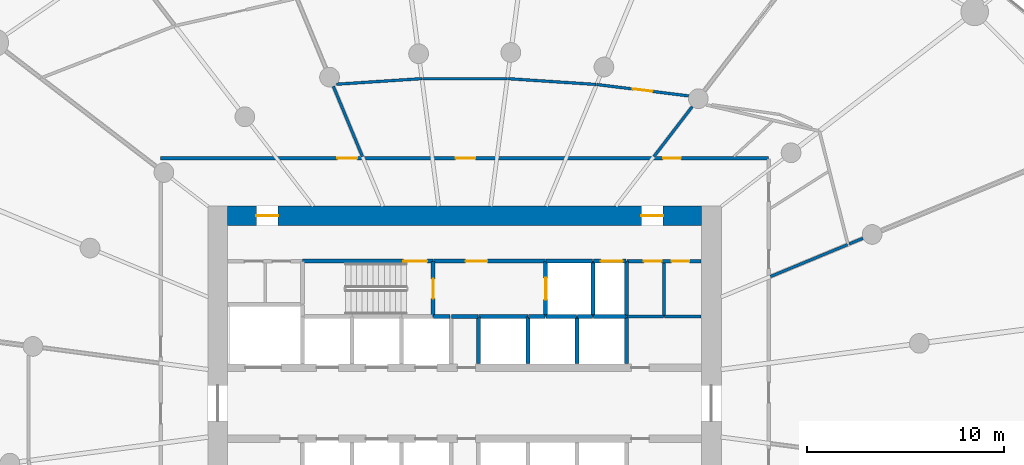
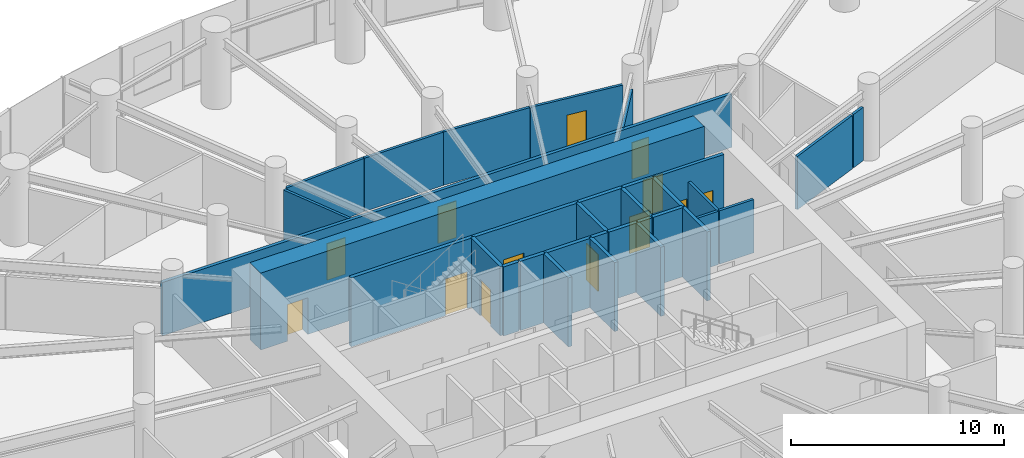
# One storey, part 14 of 19: 33 walls, 13 doors, 13 openings.
"""IFC4 building model written with IfcOpenShell, lengths in metres."""

from ifc_helpers import new_model, si_unit, direction, frame, frame_2d, origin, place, context, subcontext, project, spatial, rectangle, extrude, source, transform, mapped, material, layer, layer_set, type_object, element, fill, save


model = new_model("IFC4")

# Units and contexts
model_context = context("Model", 3, precision=1e-05, world=origin(), true_north=direction((0.0, 1.0)))
body_context = subcontext(model_context, "Body", "Model", "MODEL_VIEW")
ifc_project = project(units=[si_unit("LENGTHUNIT", "METRE"), si_unit("AREAUNIT", "SQUARE_METRE"), si_unit("VOLUMEUNIT", "CUBIC_METRE"), si_unit("PLANEANGLEUNIT", "RADIAN"), si_unit("MASSUNIT", "GRAM", prefix="KILO")], contexts=[model_context])

# Site, building, storey
site_placement = place(None, origin())
site = spatial("IfcSite", under=ifc_project, at=site_placement, CompositionType="ELEMENT")
building_placement = place(site_placement, origin())
building = spatial("IfcBuilding", under=site, at=building_placement, Name="Spindrift Exchange Tower", CompositionType="ELEMENT")
storey_placement = place(building_placement, frame((0.0, 0.0, 22.60009765625)))
storey = spatial("IfcBuildingStorey", under=building, at=storey_placement, Name="L05", CompositionType="ELEMENT", Elevation=22.60009765625)

# Wall, openings, doors
ifc_material_1 = material(Name="Concrete 80 MPa", Category="concrete")
ifc_layer_1 = layer(ifc_material_1, 1.0)
ifc_layer_set_1 = layer_set([ifc_layer_1], Name="RC Core Wall 1000 Concrete 80 MPa")
wall_type_1 = type_object("IfcWallType", Name="RC Core Wall 1000 Concrete 80 MPa", PredefinedType="SHEAR", material=ifc_layer_set_1)
wall_1_placement = place(storey_placement, frame((64.0, 57.5, 0.0), z_axis=(0.0, 0.0, 1.0), x_axis=(-1.0, 0.0, 0.0)))
wall_1 = element("IfcWall", 1, at=wall_1_placement, inside=storey, type_object=wall_type_1, Name="Core wall N L05", PredefinedType="SHEAR", context=body_context, shape_type="SweptSolid", body=[
    extrude(rectangle(XDim=24.0, YDim=1.0, at=frame_2d((12.0, 0.0))), origin(), (0.0, 0.0, 1.0), 4.39990234375),
])
opening_1_placement = place(wall_1_placement, frame((21.449951171875, 0.0, 0.0)))
opening_1 = element("IfcOpeningElement", 2, at=opening_1_placement, cuts=wall_1, Name="Opening L05-D20", PredefinedType="OPENING", context=body_context, shape_type="SweptSolid", body=[
    extrude(rectangle(XDim=1.10009765625, YDim=2.10009765625, at=frame_2d((0.550048828125, 1.050048828125))), frame((0.0, 0.510009765625, 0.0), z_axis=(0.0, -1.0, 0.0), x_axis=(1.0, 0.0, 0.0)), (0.0, 0.0, 1.0), 1.02001953125),
])
opening_2_placement = place(wall_1_placement, frame((1.949951171875, 0.0, 0.0)))
opening_2 = element("IfcOpeningElement", 3, at=opening_2_placement, cuts=wall_1, Name="Opening L05-D21", PredefinedType="OPENING", context=body_context, shape_type="SweptSolid", body=[
    extrude(rectangle(XDim=1.10009765625, YDim=2.10009765625, at=frame_2d((0.550048828125, 1.050048828125))), frame((0.0, 0.510009765625, 0.0), z_axis=(0.0, -1.0, 0.0), x_axis=(1.0, 0.0, 0.0)), (0.0, 0.0, 1.0), 1.02001953125),
])
ifc_material_2 = material(Name="Steel fire door", Category="steel")
door_type_1 = type_object("IfcDoorType", Name="DR-STAIR-1100", OperationType="NOTDEFINED", PredefinedType="DOOR", material=ifc_material_2)
shared_shape_1 = source(origin(), body_context, "Body", "SweptSolid", [
    extrude(rectangle(XDim=1.10009765625, YDim=2.10009765625, at=frame_2d((0.550048828125, 1.050048828125))), frame((0.0, 0.02490234375, 0.0), z_axis=(0.0, -1.0, 0.0), x_axis=(1.0, 0.0, 0.0)), (0.0, 0.0, 1.0), 0.050048828125),
])
door_1_placement = place(opening_1_placement, origin())
door_1 = element("IfcDoor", 4, at=door_1_placement, inside=storey, type_object=door_type_1, Name="L05 Stair door 20", OperationType="SINGLE_SWING_LEFT", OverallHeight=2.10009765625, OverallWidth=1.10009765625, PredefinedType="DOOR", context=body_context, shape_type="MappedRepresentation", body=[
    mapped(shared_shape_1, transform((0.0, 0.0, 0.0), scale=1.0)),
])
fill(opening_1, door_1)
door_2_placement = place(opening_2_placement, origin())
door_2 = element("IfcDoor", 5, at=door_2_placement, inside=storey, type_object=door_type_1, Name="L05 Stair door 21", OperationType="SINGLE_SWING_RIGHT", OverallHeight=2.10009765625, OverallWidth=1.10009765625, PredefinedType="DOOR", context=body_context, shape_type="MappedRepresentation", body=[
    mapped(shared_shape_1, transform((0.0, 0.0, 0.0), scale=1.0)),
])
fill(opening_2, door_2)

ifc_material_3 = material(Name="Fire-rated plasterboard partition", Category="gypsum")
ifc_layer_2 = layer(ifc_material_3, 0.179931640625)
ifc_layer_set_2 = layer_set([ifc_layer_2], Name="W-CORR-180")
wall_type_2 = type_object("IfcWallType", Name="W-CORR-180", PredefinedType="PARTITIONING", material=ifc_layer_set_2)
wall_2_placement = place(storey_placement, frame((63.97998046875, 55.199951171875, 0.0), z_axis=(0.0, 0.0, 1.0), x_axis=(-1.0, 0.0, 0.0)))
wall_2 = element("IfcWall", 6, at=wall_2_placement, inside=storey, type_object=wall_type_2, Name="L05 Partition wall 64", PredefinedType="PARTITIONING", context=body_context, shape_type="SweptSolid", body=[
    extrude(rectangle(XDim=3.75, YDim=0.179931640625, at=frame_2d((1.875, 0.0))), origin(), (0.0, 0.0, 1.0), 3.949951171875),
])
opening_3_placement = place(wall_2_placement, frame((2.0, 0.0, 0.0)))
opening_3 = element("IfcOpeningElement", 7, at=opening_3_placement, cuts=wall_2, Name="Opening L05-D49", PredefinedType="OPENING", context=body_context, shape_type="SweptSolid", body=[
    extrude(rectangle(XDim=0.89990234375, YDim=2.10009765625, at=frame_2d((0.449951171875, 1.050048828125))), frame((0.0, 0.099853515625, 0.0), z_axis=(0.0, -1.0, 0.0), x_axis=(1.0, 0.0, 0.0)), (0.0, 0.0, 1.0), 0.199951171875),
])
opening_4_placement = place(wall_2_placement, frame((0.60009765625, 0.0, 0.0)))
opening_4 = element("IfcOpeningElement", 8, at=opening_4_placement, cuts=wall_2, Name="Opening L05-D50", PredefinedType="OPENING", context=body_context, shape_type="SweptSolid", body=[
    extrude(rectangle(XDim=0.89990234375, YDim=2.10009765625, at=frame_2d((0.449951171875, 1.050048828125))), frame((0.0, 0.099853515625, 0.0), z_axis=(0.0, -1.0, 0.0), x_axis=(1.0, 0.0, 0.0)), (0.0, 0.0, 1.0), 0.199951171875),
])
ifc_material_4 = material(Name="Steel access door", Category="steel")
door_type_2 = type_object("IfcDoorType", Name="DR-RISER-900", OperationType="NOTDEFINED", PredefinedType="DOOR", material=ifc_material_4)
shared_shape_2 = source(origin(), body_context, "Body", "SweptSolid", [
    extrude(rectangle(XDim=0.89990234375, YDim=2.10009765625, at=frame_2d((0.449951171875, 1.050048828125))), frame((0.0, 0.02490234375, 0.0), z_axis=(0.0, -1.0, 0.0), x_axis=(1.0, 0.0, 0.0)), (0.0, 0.0, 1.0), 0.050048828125),
])
door_3_placement = place(opening_3_placement, origin())
door_3 = element("IfcDoor", 9, at=door_3_placement, inside=storey, type_object=door_type_2, Name="L05 Riser door 49", OperationType="SINGLE_SWING_RIGHT", OverallHeight=2.10009765625, OverallWidth=0.89990234375, PredefinedType="DOOR", context=body_context, shape_type="MappedRepresentation", body=[
    mapped(shared_shape_2, transform((0.0, 0.0, 0.0), scale=1.0)),
])
fill(opening_3, door_3)
door_4_placement = place(opening_4_placement, origin())
door_4 = element("IfcDoor", 10, at=door_4_placement, inside=storey, type_object=door_type_2, Name="L05 Riser door 50", OperationType="SINGLE_SWING_LEFT", OverallHeight=2.10009765625, OverallWidth=0.89990234375, PredefinedType="DOOR", context=body_context, shape_type="MappedRepresentation", body=[
    mapped(shared_shape_2, transform((0.0, 0.0, 0.0), scale=1.0)),
])
fill(opening_4, door_4)

# Walls
ifc_layer_3 = layer(ifc_material_3, 0.139892578125)
ifc_layer_set_3 = layer_set([ifc_layer_3], Name="W-PART-140")
wall_type_3 = type_object("IfcWallType", Name="W-PART-140", PredefinedType="PARTITIONING", material=ifc_layer_set_3)
wall_3_placement = place(storey_placement, frame((67.489990234375, 54.416259765625, 0.0), z_axis=(0.0, 0.0, 1.0), x_axis=(0.92388430195, 0.382671917718, 0.0)))
element("IfcWall", 11, at=wall_3_placement, inside=storey, type_object=wall_type_3, Name="L05 Partition wall 94", PredefinedType="PARTITIONING", context=body_context, shape_type="SweptSolid", body=[
    extrude(rectangle(XDim=4.220947265625, YDim=0.139892578125, at=frame_2d((2.1103515625, 0.0))), origin(), (0.0, 0.0, 1.0), 3.0498046875),
])
wall_4_placement = place(storey_placement, frame((62.10009765625, 52.39990234375, 0.0), z_axis=(0.0, 0.0, 1.0), x_axis=(0.0, 1.0, 0.0)))
element("IfcWall", 12, at=wall_4_placement, inside=storey, type_object=wall_type_3, Name="L05 Partition wall 110", PredefinedType="PARTITIONING", context=body_context, shape_type="SweptSolid", body=[
    extrude(rectangle(XDim=2.710205078125, YDim=0.139892578125, at=frame_2d((1.35498046875, 0.0))), origin(), (0.0, 0.0, 1.0), 3.0498046875),
])
wall_5_placement = place(storey_placement, frame((62.070068359375, 52.39990234375, 0.0), z_axis=(0.0, 0.0, 1.0), x_axis=(-1.0, 0.0, 0.0)))
element("IfcWall", 13, at=wall_5_placement, inside=storey, type_object=wall_type_3, Name="L05 Partition wall 117", PredefinedType="PARTITIONING", context=body_context, shape_type="SweptSolid", body=[
    extrude(rectangle(XDim=1.840087890625, YDim=0.139892578125, at=frame_2d((0.919921875, 0.0))), origin(), (0.0, 0.0, 1.0), 3.0498046875),
])
wall_6_placement = place(storey_placement, frame((63.97998046875, 52.39990234375, 0.0), z_axis=(0.0, 0.0, 1.0), x_axis=(-1.0, 0.0, 0.0)))
element("IfcWall", 14, at=wall_6_placement, inside=storey, type_object=wall_type_3, Name="L05 Partition wall 118", PredefinedType="PARTITIONING", context=body_context, shape_type="SweptSolid", body=[
    extrude(rectangle(XDim=1.85009765625, YDim=0.139892578125, at=frame_2d((0.925048828125, 0.0))), origin(), (0.0, 0.0, 1.0), 3.0498046875),
])
wall_7_placement = place(storey_placement, frame((71.482666015625, 56.070068359375, 0.0), z_axis=(0.0, 0.0, 1.0), x_axis=(0.923945120737, 0.382525049986, 0.0)))
element("IfcWall", 15, at=wall_7_placement, inside=storey, type_object=wall_type_3, Name="L05 Partition wall 126", PredefinedType="PARTITIONING", context=body_context, shape_type="SweptSolid", body=[
    extrude(rectangle(XDim=0.746826171875, YDim=0.139892578125, at=frame_2d((0.37353515625, 0.0))), origin(), (0.0, 0.0, 1.0), 3.0498046875),
])

# Wall, opening, door
ifc_layer_4 = layer(ifc_material_3, 0.139892578125)
ifc_layer_set_4 = layer_set([ifc_layer_4], Name="W-PLANT-140")
wall_type_4 = type_object("IfcWallType", Name="W-PLANT-140", PredefinedType="PARTITIONING", material=ifc_layer_set_4)
wall_8_placement = place(storey_placement, frame((58.6875, 64.14501953125, 0.0), z_axis=(0.0, 0.0, 1.0), x_axis=(0.992396516621, -0.123081898742, 0.0)))
wall_8 = element("IfcWall", 16, at=wall_8_placement, inside=storey, type_object=wall_type_4, Name="L05 Partition wall 92", PredefinedType="PARTITIONING", context=body_context, shape_type="SweptSolid", body=[
    extrude(rectangle(XDim=4.698974609375, YDim=0.139892578125, at=frame_2d((2.349609375, 0.0))), origin(), (0.0, 0.0, 1.0), 3.0498046875),
])
opening_5_placement = place(wall_8_placement, frame((1.84912109375, 0.0, 0.0)))
opening_5 = element("IfcOpeningElement", 17, at=opening_5_placement, cuts=wall_8, Name="Opening L05-D30", PredefinedType="OPENING", context=body_context, shape_type="SweptSolid", body=[
    extrude(rectangle(XDim=1.0, YDim=2.10009765625, at=frame_2d((0.5, 1.050048828125))), frame((0.0, 0.079833984375, 0.0), z_axis=(0.0, -1.0, 0.0), x_axis=(1.0, 0.0, 0.0)), (0.0, 0.0, 1.0), 0.159912109375),
])
ifc_material_5 = material(Name="Timber-core fire door", Category="wood")
door_type_3 = type_object("IfcDoorType", Name="DR-ROOM-1000", OperationType="NOTDEFINED", PredefinedType="DOOR", material=ifc_material_5)
shared_shape_3 = source(origin(), body_context, "Body", "SweptSolid", [
    extrude(rectangle(XDim=1.0, YDim=2.10009765625, at=frame_2d((0.5, 1.050048828125))), frame((0.0, 0.02490234375, 0.0), z_axis=(0.0, -1.0, 0.0), x_axis=(1.0, 0.0, 0.0)), (0.0, 0.0, 1.0), 0.050048828125),
])
door_5_placement = place(opening_5_placement, origin())
door_5 = element("IfcDoor", 18, at=door_5_placement, inside=storey, type_object=door_type_3, Name="L05 Door 30", OperationType="SINGLE_SWING_LEFT", OverallHeight=2.10009765625, OverallWidth=1.0, PredefinedType="DOOR", context=body_context, shape_type="MappedRepresentation", body=[
    mapped(shared_shape_3, transform((0.0, 0.0, 0.0), scale=1.0)),
])
fill(opening_5, door_5)

# Walls
wall_9_placement = place(storey_placement, frame((58.65771484375, 64.14697265625, 0.0), z_axis=(0.0, 0.0, 1.0), x_axis=(-0.997859849847, 0.065388990378, 0.0)))
element("IfcWall", 19, at=wall_9_placement, inside=storey, type_object=wall_type_4, Name="L05 Partition wall 93", PredefinedType="PARTITIONING", context=body_context, shape_type="SweptSolid", body=[
    extrude(rectangle(XDim=4.502685546875, YDim=0.139892578125, at=frame_2d((2.25146484375, 0.0))), origin(), (0.0, 0.0, 1.0), 3.0498046875),
])
wall_10_placement = place(storey_placement, frame((49.83544921875, 64.44140625, 0.0), z_axis=(0.0, 0.0, 1.0), x_axis=(-0.997860808016, -0.065374366729, 0.0)))
element("IfcWall", 20, at=wall_10_placement, inside=storey, type_object=wall_type_4, Name="L05 Partition wall 95", PredefinedType="PARTITIONING", context=body_context, shape_type="SweptSolid", body=[
    extrude(rectangle(XDim=4.33203125, YDim=0.139892578125, at=frame_2d((2.166015625, 0.0))), origin(), (0.0, 0.0, 1.0), 3.0498046875),
])
wall_11_placement = place(storey_placement, frame((54.134521484375, 64.44140625, 0.0), z_axis=(0.0, 0.0, 1.0), x_axis=(-1.0, 0.0, 0.0)))
element("IfcWall", 21, at=wall_11_placement, inside=storey, type_object=wall_type_4, Name="L05 Partition wall 96", PredefinedType="PARTITIONING", context=body_context, shape_type="SweptSolid", body=[
    extrude(rectangle(XDim=4.26904296875, YDim=0.139892578125, at=frame_2d((2.134521484375, 0.0))), origin(), (0.0, 0.0, 1.0), 3.0498046875),
])
wall_12_placement = place(storey_placement, frame((46.826416015625, 60.489990234375, 0.0), z_axis=(0.0, 0.0, 1.0), x_axis=(-0.382644558062, 0.923895633817, 0.0)))
element("IfcWall", 22, at=wall_12_placement, inside=storey, type_object=wall_type_4, Name="L05 Partition wall 98", PredefinedType="PARTITIONING", context=body_context, shape_type="SweptSolid", body=[
    extrude(rectangle(XDim=3.854248046875, YDim=0.139892578125, at=frame_2d((1.92724609375, 0.0))), origin(), (0.0, 0.0, 1.0), 3.0498046875),
])
wall_13_placement = place(storey_placement, frame((61.583984375, 60.489990234375, 0.0), z_axis=(0.0, 0.0, 1.0), x_axis=(0.60874605662, 0.793365135703, 0.0)))
element("IfcWall", 23, at=wall_13_placement, inside=storey, type_object=wall_type_4, Name="L05 Partition wall 107", PredefinedType="PARTITIONING", context=body_context, shape_type="SweptSolid", body=[
    extrude(rectangle(XDim=3.193603515625, YDim=0.139892578125, at=frame_2d((1.5966796875, 0.0))), origin(), (0.0, 0.0, 1.0), 3.0498046875),
])

# Wall, openings, doors
ifc_layer_5 = layer(ifc_material_3, 0.179931640625)
ifc_layer_set_5 = layer_set([ifc_layer_5], Name="W-PLANT-180")
wall_type_5 = type_object("IfcWallType", Name="W-PLANT-180", PredefinedType="PARTITIONING", material=ifc_layer_set_5)
wall_14_placement = place(storey_placement, frame((36.60009765625, 60.39990234375, 0.0), z_axis=(0.0, 0.0, 1.0), x_axis=(1.0, 0.0, 0.0)))
wall_14 = element("IfcWall", 24, at=wall_14_placement, inside=storey, type_object=wall_type_5, Name="L05 Partition wall 58", PredefinedType="PARTITIONING", context=body_context, shape_type="SweptSolid", body=[
    extrude(rectangle(XDim=30.7998046875, YDim=0.179931640625, at=frame_2d((15.39990234375, 0.0))), origin(), (0.0, 0.0, 1.0), 3.0498046875),
])
opening_6_placement = place(wall_14_placement, frame((25.449951171875, 0.0, 0.0)))
opening_6 = element("IfcOpeningElement", 25, at=opening_6_placement, cuts=wall_14, Name="Opening L05-D28", PredefinedType="OPENING", context=body_context, shape_type="SweptSolid", body=[
    extrude(rectangle(XDim=0.89990234375, YDim=2.10009765625, at=frame_2d((0.449951171875, 1.050048828125))), frame((0.0, 0.099853515625, 0.0), z_axis=(0.0, -1.0, 0.0), x_axis=(1.0, 0.0, 0.0)), (0.0, 0.0, 1.0), 0.199951171875),
])
opening_7_placement = place(wall_14_placement, frame((14.949951171875, 0.0, 0.0)))
opening_7 = element("IfcOpeningElement", 26, at=opening_7_placement, cuts=wall_14, Name="Opening L05-D29", PredefinedType="OPENING", context=body_context, shape_type="SweptSolid", body=[
    extrude(rectangle(XDim=1.0, YDim=2.10009765625, at=frame_2d((0.5, 1.050048828125))), frame((0.0, 0.099853515625, 0.0), z_axis=(0.0, -1.0, 0.0), x_axis=(1.0, 0.0, 0.0)), (0.0, 0.0, 1.0), 0.199951171875),
])
opening_8_placement = place(wall_14_placement, frame((8.949951171875, 0.0, 0.0)))
opening_8 = element("IfcOpeningElement", 27, at=opening_8_placement, cuts=wall_14, Name="Opening L05-D32", PredefinedType="OPENING", context=body_context, shape_type="SweptSolid", body=[
    extrude(rectangle(XDim=1.0, YDim=2.10009765625, at=frame_2d((0.5, 1.050048828125))), frame((0.0, 0.099853515625, 0.0), z_axis=(0.0, -1.0, 0.0), x_axis=(1.0, 0.0, 0.0)), (0.0, 0.0, 1.0), 0.199951171875),
])
door_6_placement = place(opening_7_placement, origin())
door_6 = element("IfcDoor", 28, at=door_6_placement, inside=storey, type_object=door_type_3, Name="L05 Door 29", OperationType="SINGLE_SWING_RIGHT", OverallHeight=2.10009765625, OverallWidth=1.0, PredefinedType="DOOR", context=body_context, shape_type="MappedRepresentation", body=[
    mapped(shared_shape_3, transform((0.0, 0.0, 0.0), scale=1.0)),
])
fill(opening_7, door_6)
door_7_placement = place(opening_8_placement, origin())
door_7 = element("IfcDoor", 29, at=door_7_placement, inside=storey, type_object=door_type_3, Name="L05 Door 32", OperationType="SINGLE_SWING_LEFT", OverallHeight=2.10009765625, OverallWidth=1.0, PredefinedType="DOOR", context=body_context, shape_type="MappedRepresentation", body=[
    mapped(shared_shape_3, transform((0.0, 0.0, 0.0), scale=1.0)),
])
fill(opening_8, door_7)
ifc_material_6 = material(Name="Laminate washroom door", Category="wood")
door_type_4 = type_object("IfcDoorType", Name="DR-WC-900", OperationType="NOTDEFINED", PredefinedType="DOOR", material=ifc_material_6)
shared_shape_4 = source(origin(), body_context, "Body", "SweptSolid", [
    extrude(rectangle(XDim=0.89990234375, YDim=2.10009765625, at=frame_2d((0.449951171875, 1.050048828125))), frame((0.0, 0.02490234375, 0.0), z_axis=(0.0, -1.0, 0.0), x_axis=(1.0, 0.0, 0.0)), (0.0, 0.0, 1.0), 0.050048828125),
])
door_8_placement = place(opening_6_placement, origin())
door_8 = element("IfcDoor", 30, at=door_8_placement, inside=storey, type_object=door_type_4, Name="L05 WC door 28", OperationType="SINGLE_SWING_LEFT", OverallHeight=2.10009765625, OverallWidth=0.89990234375, PredefinedType="DOOR", context=body_context, shape_type="MappedRepresentation", body=[
    mapped(shared_shape_4, transform((0.0, 0.0, 0.0), scale=1.0)),
])
fill(opening_6, door_8)

# Wall, opening, door
ifc_material_7 = material(Name="Concrete 40 MPa", Category="concrete")
ifc_layer_6 = layer(ifc_material_7, 0.199951171875)
ifc_layer_set_6 = layer_set([ifc_layer_6], Name="W-SHAFT-200")
wall_type_6 = type_object("IfcWallType", Name="W-SHAFT-200", PredefinedType="SOLIDWALL", material=ifc_layer_set_6)
wall_15_placement = place(storey_placement, frame((56.10009765625, 55.169921875, 0.0), z_axis=(0.0, 0.0, 1.0), x_axis=(0.0, -1.0, 0.0)))
wall_15 = element("IfcWall", 31, at=wall_15_placement, inside=storey, type_object=wall_type_6, Name="L05 Shaft wall 12", PredefinedType="SOLIDWALL", context=body_context, shape_type="SweptSolid", body=[
    extrude(rectangle(XDim=2.77001953125, YDim=0.199951171875, at=frame_2d((1.385009765625, 0.0))), origin(), (0.0, 0.0, 1.0), 3.949951171875),
])
opening_9_placement = place(wall_15_placement, frame((0.820068359375, 0.0, 0.0)))
opening_9 = element("IfcOpeningElement", 32, at=opening_9_placement, cuts=wall_15, Name="Opening L05-D9", PredefinedType="OPENING", context=body_context, shape_type="SweptSolid", body=[
    extrude(rectangle(XDim=1.10009765625, YDim=2.10009765625, at=frame_2d((0.550048828125, 1.050048828125))), frame((0.0, 0.10986328125, 0.0), z_axis=(0.0, -1.0, 0.0), x_axis=(1.0, 0.0, 0.0)), (0.0, 0.0, 1.0), 0.219970703125),
])
ifc_material_8 = material(Name="Stainless steel landing door", Category="steel")
door_type_5 = type_object("IfcDoorType", Name="DR-LANDING-1100-SL", OperationType="DOUBLE_DOOR_SLIDING", PredefinedType="USERDEFINED", material=ifc_material_8)
shared_shape_5 = source(origin(), body_context, "Body", "SweptSolid", [
    extrude(rectangle(XDim=1.10009765625, YDim=2.10009765625, at=frame_2d((0.550048828125, 1.050048828125))), frame((0.0, 0.02490234375, 0.0), z_axis=(0.0, -1.0, 0.0), x_axis=(1.0, 0.0, 0.0)), (0.0, 0.0, 1.0), 0.050048828125),
])
door_9_placement = place(opening_9_placement, origin())
door_9 = element("IfcDoor", 33, at=door_9_placement, inside=storey, type_object=door_type_5, Name="L05 Lift landing door 9", ObjectType="LANDING DOOR", OperationType="DOUBLE_DOOR_SLIDING", OverallHeight=2.10009765625, OverallWidth=1.10009765625, PredefinedType="USERDEFINED", context=body_context, shape_type="MappedRepresentation", body=[
    mapped(shared_shape_5, transform((0.0, 0.0, 0.0), scale=1.0)),
])
fill(opening_9, door_9)

# Walls
for number, where, z_axis, x_axis, name in (
    (34, (58.5, 52.39990234375, 0.0), (0.0, 0.0, 1.0), (0.0, 1.0, 0.0), "L05 Shaft wall 13"),
    (35, (60.199951171875, 52.39990234375, 0.0), (0.0, 0.0, 1.0), (0.0, 1.0, 0.0), "L05 Shaft wall 14"),
):
    element("IfcWall", number, at=place(storey_placement, frame(where, z_axis=z_axis, x_axis=x_axis)), inside=storey, type_object=wall_type_6, Name=name, PredefinedType="SOLIDWALL", context=body_context, shape_type="SweptSolid", body=[
        extrude(rectangle(XDim=2.800048828125, YDim=0.199951171875, at=frame_2d((1.39990234375, 0.0))), origin(), (0.0, 0.0, 1.0), 3.949951171875),
    ])
wall_16_placement = place(storey_placement, frame((55.199951171875, 52.39990234375, 0.0), z_axis=(0.0, 0.0, 1.0), x_axis=(-1.0, 0.0, 0.0)))
element("IfcWall", 36, at=wall_16_placement, inside=storey, type_object=wall_type_6, Name="L05 Shaft wall 18", PredefinedType="SOLIDWALL", context=body_context, shape_type="SweptSolid", body=[
    extrude(rectangle(XDim=2.5, YDim=0.199951171875, at=frame_2d((1.25, 0.0))), origin(), (0.0, 0.0, 1.0), 3.949951171875),
])
wall_17_placement = place(storey_placement, frame((58.469970703125, 55.199951171875, 0.0), z_axis=(0.0, 0.0, 1.0), x_axis=(-1.0, 0.0, 0.0)))
element("IfcWall", 37, at=wall_17_placement, inside=storey, type_object=wall_type_6, Name="L05 Shaft wall 22", PredefinedType="SOLIDWALL", context=body_context, shape_type="SweptSolid", body=[
    extrude(rectangle(XDim=2.340087890625, YDim=0.199951171875, at=frame_2d((1.169921875, 0.0))), origin(), (0.0, 0.0, 1.0), 3.949951171875),
])
for number, where, z_axis, x_axis, name in (
    (38, (52.699951171875, 52.3701171875, 0.0), (0.0, 0.0, 1.0), (0.0, -1.0, 0.0), "L05 Shaft wall 32"),
    (39, (55.199951171875, 50.010009765625, 0.0), (0.0, 0.0, 1.0), (0.0, 1.0, 0.0), "L05 Shaft wall 34"),
):
    element("IfcWall", number, at=place(storey_placement, frame(where, z_axis=z_axis, x_axis=x_axis)), inside=storey, type_object=wall_type_6, Name=name, PredefinedType="SOLIDWALL", context=body_context, shape_type="SweptSolid", body=[
        extrude(rectangle(XDim=2.360107421875, YDim=0.199951171875, at=frame_2d((1.18017578125, 0.0))), origin(), (0.0, 0.0, 1.0), 3.949951171875),
    ])
wall_18_placement = place(storey_placement, frame((57.699951171875, 50.010009765625, 0.0), z_axis=(0.0, 0.0, 1.0), x_axis=(0.0, 1.0, 0.0)))
element("IfcWall", 40, at=wall_18_placement, inside=storey, type_object=wall_type_6, Name="L05 Shaft wall 36", PredefinedType="SOLIDWALL", context=body_context, shape_type="SweptSolid", body=[
    extrude(rectangle(XDim=2.389892578125, YDim=0.199951171875, at=frame_2d((1.19482421875, 0.0))), origin(), (0.0, 0.0, 1.0), 3.949951171875),
])
wall_19_placement = place(storey_placement, frame((60.199951171875, 50.010009765625, 0.0), z_axis=(0.0, 0.0, 1.0), x_axis=(0.0, 1.0, 0.0)))
element("IfcWall", 41, at=wall_19_placement, inside=storey, type_object=wall_type_6, Name="L05 Shaft wall 38", PredefinedType="SOLIDWALL", context=body_context, shape_type="SweptSolid", body=[
    extrude(rectangle(XDim=2.360107421875, YDim=0.199951171875, at=frame_2d((1.18017578125, 0.0))), origin(), (0.0, 0.0, 1.0), 3.949951171875),
])
wall_20_placement = place(storey_placement, frame((60.169921875, 52.39990234375, 0.0), z_axis=(0.0, 0.0, 1.0), x_axis=(-1.0, 0.0, 0.0)))
element("IfcWall", 42, at=wall_20_placement, inside=storey, type_object=wall_type_6, Name="L05 Shaft wall 42", PredefinedType="SOLIDWALL", context=body_context, shape_type="SweptSolid", body=[
    extrude(rectangle(XDim=1.639892578125, YDim=0.199951171875, at=frame_2d((0.81982421875, 0.0))), origin(), (0.0, 0.0, 1.0), 3.949951171875),
])

# Wall, opening, door
wall_21_placement = place(storey_placement, frame((60.169921875, 55.199951171875, 0.0), z_axis=(0.0, 0.0, 1.0), x_axis=(-1.0, 0.0, 0.0)))
wall_21 = element("IfcWall", 43, at=wall_21_placement, inside=storey, type_object=wall_type_6, Name="L05 Shaft wall 43", PredefinedType="SOLIDWALL", context=body_context, shape_type="SweptSolid", body=[
    extrude(rectangle(XDim=1.639892578125, YDim=0.199951171875, at=frame_2d((0.81982421875, 0.0))), origin(), (0.0, 0.0, 1.0), 3.949951171875),
])
opening_10_placement = place(wall_21_placement, frame((0.169921875, 0.0, 0.0)))
opening_10 = element("IfcOpeningElement", 44, at=opening_10_placement, cuts=wall_21, Name="Opening L05-D11", PredefinedType="OPENING", context=body_context, shape_type="SweptSolid", body=[
    extrude(rectangle(XDim=1.10009765625, YDim=2.10009765625, at=frame_2d((0.550048828125, 1.050048828125))), frame((0.0, 0.10986328125, 0.0), z_axis=(0.0, -1.0, 0.0), x_axis=(1.0, 0.0, 0.0)), (0.0, 0.0, 1.0), 0.219970703125),
])
door_10_placement = place(opening_10_placement, origin())
door_10 = element("IfcDoor", 45, at=door_10_placement, inside=storey, type_object=door_type_5, Name="L05 Lift landing door 11", ObjectType="LANDING DOOR", OperationType="DOUBLE_DOOR_SLIDING", OverallHeight=2.10009765625, OverallWidth=1.10009765625, PredefinedType="USERDEFINED", context=body_context, shape_type="MappedRepresentation", body=[
    mapped(shared_shape_5, transform((0.0, 0.0, 0.0), scale=1.0)),
])
fill(opening_10, door_10)

# Walls
wall_22_placement = place(storey_placement, frame((57.669921875, 52.39990234375, 0.0), z_axis=(0.0, 0.0, 1.0), x_axis=(-1.0, 0.0, 0.0)))
element("IfcWall", 46, at=wall_22_placement, inside=storey, type_object=wall_type_6, Name="L05 Shaft wall 47", PredefinedType="SOLIDWALL", context=body_context, shape_type="SweptSolid", body=[
    extrude(rectangle(XDim=1.5400390625, YDim=0.199951171875, at=frame_2d((0.77001953125, 0.0))), origin(), (0.0, 0.0, 1.0), 3.949951171875),
])
wall_23_placement = place(storey_placement, frame((51.330078125, 52.39990234375, 0.0), z_axis=(0.0, 0.0, 1.0), x_axis=(1.0, 0.0, 0.0)))
element("IfcWall", 47, at=wall_23_placement, inside=storey, type_object=wall_type_6, Name="L05 Shaft wall 49", PredefinedType="SOLIDWALL", context=body_context, shape_type="SweptSolid", body=[
    extrude(rectangle(XDim=1.33984375, YDim=0.199951171875, at=frame_2d((0.669921875, 0.0))), origin(), (0.0, 0.0, 1.0), 3.949951171875),
])
wall_24_placement = place(storey_placement, frame((56.070068359375, 52.39990234375, 0.0), z_axis=(0.0, 0.0, 1.0), x_axis=(-1.0, 0.0, 0.0)))
element("IfcWall", 48, at=wall_24_placement, inside=storey, type_object=wall_type_6, Name="L05 Shaft wall 53", PredefinedType="SOLIDWALL", context=body_context, shape_type="SweptSolid", body=[
    extrude(rectangle(XDim=0.840087890625, YDim=0.199951171875, at=frame_2d((0.419921875, 0.0))), origin(), (0.0, 0.0, 1.0), 3.949951171875),
])
wall_25_placement = place(storey_placement, frame((58.469970703125, 52.39990234375, 0.0), z_axis=(0.0, 0.0, 1.0), x_axis=(-1.0, 0.0, 0.0)))
element("IfcWall", 49, at=wall_25_placement, inside=storey, type_object=wall_type_6, Name="L05 Shaft wall 55", PredefinedType="SOLIDWALL", context=body_context, shape_type="SweptSolid", body=[
    extrude(rectangle(XDim=0.739990234375, YDim=0.199951171875, at=frame_2d((0.3701171875, 0.0))), origin(), (0.0, 0.0, 1.0), 3.949951171875),
])

# Wall, opening, door
ifc_layer_7 = layer(ifc_material_7, 0.199951171875)
ifc_layer_set_7 = layer_set([ifc_layer_7], Name="W-SHAFT-200-LB")
wall_type_7 = type_object("IfcWallType", Name="W-SHAFT-200-LB", PredefinedType="SOLIDWALL", material=ifc_layer_set_7)
wall_26_placement = place(storey_placement, frame((50.39990234375, 55.199951171875, 0.0), z_axis=(0.0, 0.0, 1.0), x_axis=(-1.0, 0.0, 0.0)))
wall_26 = element("IfcWall", 50, at=wall_26_placement, inside=storey, type_object=wall_type_7, Name="L05 Shaft wall 1", PredefinedType="SOLIDWALL", context=body_context, shape_type="SweptSolid", body=[
    extrude(rectangle(XDim=6.599853515625, YDim=0.199951171875, at=frame_2d((3.2998046875, 0.0))), origin(), (0.0, 0.0, 1.0), 3.949951171875),
])
opening_11_placement = place(wall_26_placement, frame((0.300048828125, 0.0, 0.0)))
opening_11 = element("IfcOpeningElement", 51, at=opening_11_placement, cuts=wall_26, Name="Opening L05-D13", PredefinedType="OPENING", context=body_context, shape_type="SweptSolid", body=[
    extrude(rectangle(XDim=1.199951171875, YDim=2.10009765625, at=frame_2d((0.60009765625, 1.050048828125))), frame((0.0, 0.10986328125, 0.0), z_axis=(0.0, -1.0, 0.0), x_axis=(1.0, 0.0, 0.0)), (0.0, 0.0, 1.0), 0.219970703125),
])
door_type_6 = type_object("IfcDoorType", Name="DR-STAIR-1200", OperationType="NOTDEFINED", PredefinedType="DOOR", material=ifc_material_2)
shared_shape_6 = source(origin(), body_context, "Body", "SweptSolid", [
    extrude(rectangle(XDim=1.199951171875, YDim=2.10009765625, at=frame_2d((0.60009765625, 1.050048828125))), frame((0.0, 0.02490234375, 0.0), z_axis=(0.0, -1.0, 0.0), x_axis=(1.0, 0.0, 0.0)), (0.0, 0.0, 1.0), 0.050048828125),
])
door_11_placement = place(opening_11_placement, origin())
door_11 = element("IfcDoor", 52, at=door_11_placement, inside=storey, type_object=door_type_6, Name="L05 Stair door 13", OperationType="SINGLE_SWING_RIGHT", OverallHeight=2.10009765625, OverallWidth=1.199951171875, PredefinedType="DOOR", context=body_context, shape_type="MappedRepresentation", body=[
    mapped(shared_shape_6, transform((0.0, 0.0, 0.0), scale=1.0)),
])
fill(opening_11, door_11)

wall_27_placement = place(storey_placement, frame((56.10009765625, 55.199951171875, 0.0), z_axis=(0.0, 0.0, 1.0), x_axis=(-1.0, 0.0, 0.0)))
wall_27 = element("IfcWall", 53, at=wall_27_placement, inside=storey, type_object=wall_type_7, Name="L05 Shaft wall 4", PredefinedType="SOLIDWALL", context=body_context, shape_type="SweptSolid", body=[
    extrude(rectangle(XDim=5.670166015625, YDim=0.199951171875, at=frame_2d((2.8349609375, 0.0))), origin(), (0.0, 0.0, 1.0), 3.949951171875),
])
opening_12_placement = place(wall_27_placement, frame((2.949951171875, 0.0, 0.0)))
opening_12 = element("IfcOpeningElement", 54, at=opening_12_placement, cuts=wall_27, Name="Opening L05-D15", PredefinedType="OPENING", context=body_context, shape_type="SweptSolid", body=[
    extrude(rectangle(XDim=1.10009765625, YDim=2.10009765625, at=frame_2d((0.550048828125, 1.050048828125))), frame((0.0, 0.10986328125, 0.0), z_axis=(0.0, -1.0, 0.0), x_axis=(1.0, 0.0, 0.0)), (0.0, 0.0, 1.0), 0.219970703125),
])
door_type_7 = type_object("IfcDoorType", Name="DR-LOBBY-1100", OperationType="NOTDEFINED", PredefinedType="DOOR", material=ifc_material_5)
shared_shape_7 = source(origin(), body_context, "Body", "SweptSolid", [
    extrude(rectangle(XDim=1.10009765625, YDim=2.10009765625, at=frame_2d((0.550048828125, 1.050048828125))), frame((0.0, 0.02490234375, 0.0), z_axis=(0.0, -1.0, 0.0), x_axis=(1.0, 0.0, 0.0)), (0.0, 0.0, 1.0), 0.050048828125),
])
door_12_placement = place(opening_12_placement, origin())
door_12 = element("IfcDoor", 55, at=door_12_placement, inside=storey, type_object=door_type_7, Name="L05 Lobby door 15", OperationType="SINGLE_SWING_RIGHT", OverallHeight=2.10009765625, OverallWidth=1.10009765625, PredefinedType="DOOR", context=body_context, shape_type="MappedRepresentation", body=[
    mapped(shared_shape_7, transform((0.0, 0.0, 0.0), scale=1.0)),
])
fill(opening_12, door_12)

wall_28_placement = place(storey_placement, frame((50.39990234375, 52.39990234375, 0.0), z_axis=(0.0, 0.0, 1.0), x_axis=(0.0, 1.0, 0.0)))
wall_28 = element("IfcWall", 56, at=wall_28_placement, inside=storey, type_object=wall_type_7, Name="L05 Shaft wall 9", PredefinedType="SOLIDWALL", context=body_context, shape_type="SweptSolid", body=[
    extrude(rectangle(XDim=2.77001953125, YDim=0.199951171875, at=frame_2d((1.385009765625, 0.0))), origin(), (0.0, 0.0, 1.0), 3.949951171875),
])
opening_13_placement = place(wall_28_placement, frame((0.89990234375, 0.0, 0.0)))
opening_13 = element("IfcOpeningElement", 57, at=opening_13_placement, cuts=wall_28, Name="Opening L05-D14", PredefinedType="OPENING", context=body_context, shape_type="SweptSolid", body=[
    extrude(rectangle(XDim=1.0, YDim=2.10009765625, at=frame_2d((0.5, 1.050048828125))), frame((0.0, 0.10986328125, 0.0), z_axis=(0.0, -1.0, 0.0), x_axis=(1.0, 0.0, 0.0)), (0.0, 0.0, 1.0), 0.219970703125),
])
door_type_8 = type_object("IfcDoorType", Name="DR-STAIR-1000", OperationType="NOTDEFINED", PredefinedType="DOOR", material=ifc_material_2)
shared_shape_8 = source(origin(), body_context, "Body", "SweptSolid", [
    extrude(rectangle(XDim=1.0, YDim=2.10009765625, at=frame_2d((0.5, 1.050048828125))), frame((0.0, 0.02490234375, 0.0), z_axis=(0.0, -1.0, 0.0), x_axis=(1.0, 0.0, 0.0)), (0.0, 0.0, 1.0), 0.050048828125),
])
door_13_placement = place(opening_13_placement, origin())
door_13 = element("IfcDoor", 58, at=door_13_placement, inside=storey, type_object=door_type_8, Name="L05 Stair door 14", OperationType="SINGLE_SWING_LEFT", OverallHeight=2.10009765625, OverallWidth=1.0, PredefinedType="DOOR", context=body_context, shape_type="MappedRepresentation", body=[
    mapped(shared_shape_8, transform((0.0, 0.0, 0.0), scale=1.0)),
])
fill(opening_13, door_13)

# Wall
wall_29_placement = place(storey_placement, frame((51.27001953125, 52.39990234375, 0.0), z_axis=(0.0, 0.0, 1.0), x_axis=(-1.0, 0.0, 0.0)))
element("IfcWall", 59, at=wall_29_placement, inside=storey, type_object=wall_type_7, Name="L05 Shaft wall 51", PredefinedType="SOLIDWALL", context=body_context, shape_type="SweptSolid", body=[
    extrude(rectangle(XDim=0.840087890625, YDim=0.199951171875, at=frame_2d((0.419921875, 0.0))), origin(), (0.0, 0.0, 1.0), 3.949951171875),
])

save(model, "model.ifc")
